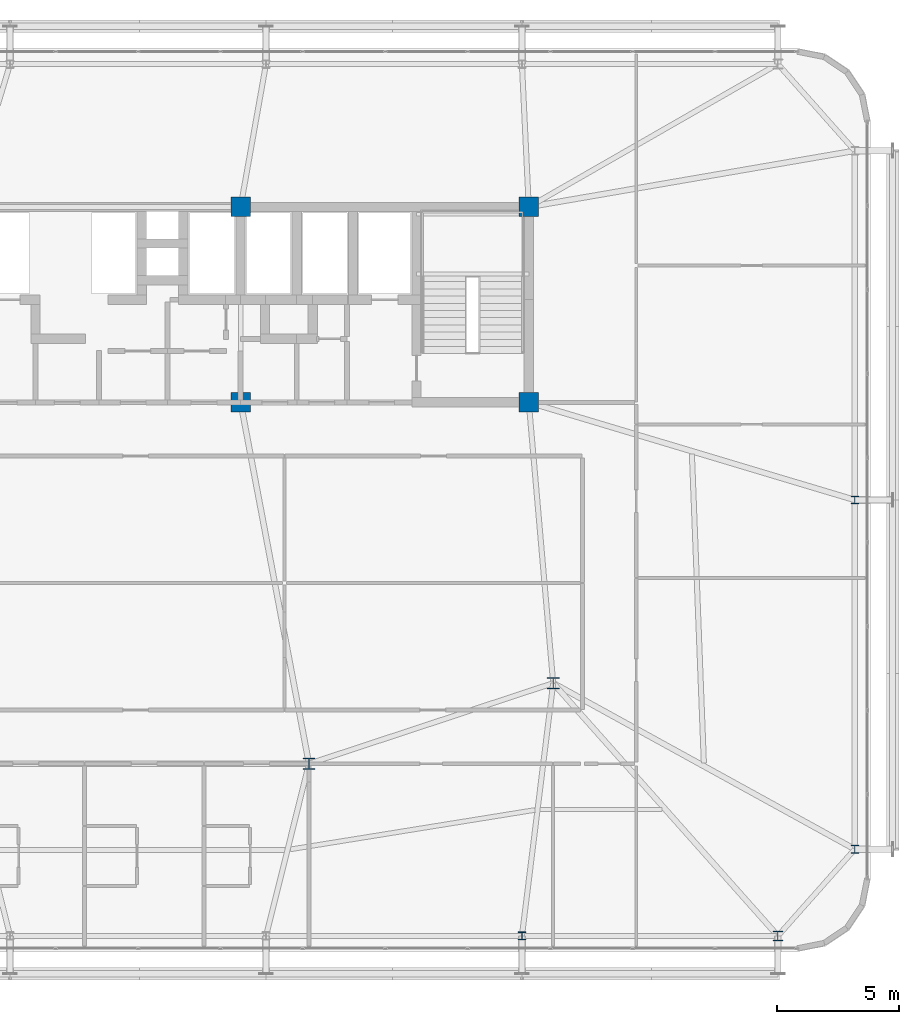
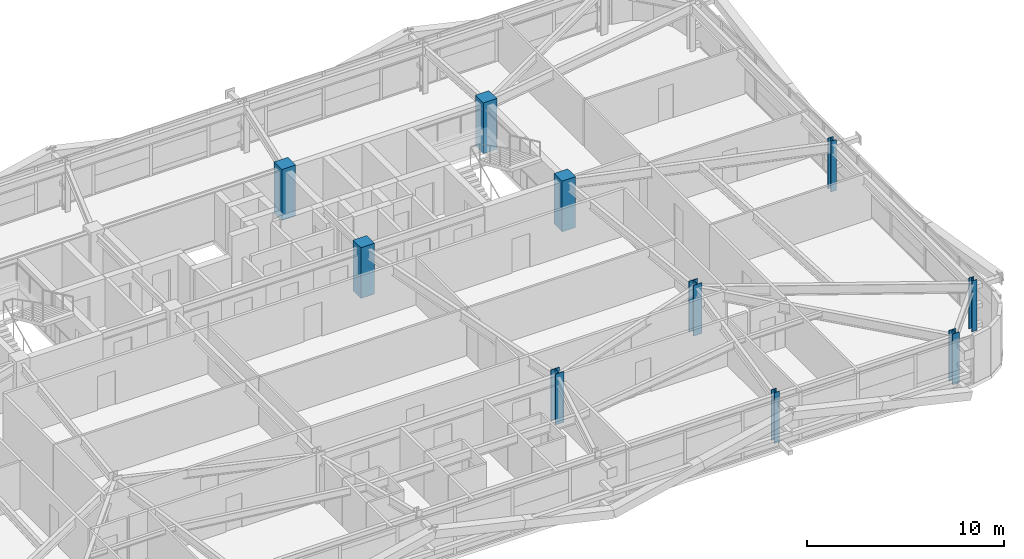
# One storey, part 2 of 59: 10 columns.
"""IFC4 building model written with IfcOpenShell, lengths in metres."""

from ifc_helpers import new_model, si_unit, direction, frame, origin, origin_2d, place, context, subcontext, project, spatial, rectangle, i_section, extrude, source, transform, mapped, material, material_profile, profile_set, type_object, element, save


model = new_model("IFC4")

# Units and contexts
model_context = context("Model", 3, precision=1e-05, world=origin(), true_north=direction((0.0, 1.0)))
body_context = subcontext(model_context, "Body", "Model", "MODEL_VIEW")
ifc_project = project(units=[si_unit("LENGTHUNIT", "METRE"), si_unit("AREAUNIT", "SQUARE_METRE"), si_unit("VOLUMEUNIT", "CUBIC_METRE"), si_unit("PLANEANGLEUNIT", "RADIAN"), si_unit("MASSUNIT", "GRAM", prefix="KILO")], contexts=[model_context])

# Site, building, storey
site_placement = place(None, origin())
site = spatial("IfcSite", under=ifc_project, at=site_placement, CompositionType="ELEMENT")
building_placement = place(site_placement, origin())
building = spatial("IfcBuilding", under=site, at=building_placement, Name="Taldren Reach Tower", CompositionType="ELEMENT")
storey_placement = place(building_placement, frame((0.0, 0.0, 45.14990234375)))
storey = spatial("IfcBuildingStorey", under=building, at=storey_placement, Name="L13", CompositionType="ELEMENT", Elevation=45.14990234375)

# Columns
ifc_material_1 = material(Name="Concrete S65 (65 MPa)", Category="concrete")
ifc_material_profile_1 = material_profile(ifc_material_1, rectangle(XDim=0.800048828125, YDim=0.800048828125, at=origin_2d()), Name="RC-800x800")
ifc_profile_set_1 = profile_set([ifc_material_profile_1], Name="Concrete S65 (65 MPa)")
column_type_1 = type_object("IfcColumnType", Name="COL-RC800", PredefinedType="COLUMN", material=ifc_profile_set_1)
shared_shape_1 = source(origin(), body_context, "Body", "SweptSolid", [
    extrude(rectangle(XDim=0.800048828125, YDim=0.800048828125, at=origin_2d()), origin(), (0.0, 0.0, 1.0), 3.150146484375),
])
for number, where, z_axis, x_axis, name in (
    (1, (39.199951171875, 24.0, 0.0), (0.0, 0.0, 1.0), (1.0, 0.0, 0.0), "Mega column MC-C3 L13"),
    (2, (51.0, 24.0, 0.0), (0.0, 0.0, 1.0), (1.0, 0.0, 0.0), "Mega column MC-C4 L13"),
    (3, (39.199951171875, 32.0, 0.0), (0.0, 0.0, 1.0), (1.0, 0.0, 0.0), "Mega column MC-C7 L13"),
    (4, (51.0, 32.0, 0.0), (0.0, 0.0, 1.0), (1.0, 0.0, 0.0), "Mega column MC-C8 L13"),
):
    element("IfcColumn", number, at=place(storey_placement, frame(where, z_axis=z_axis, x_axis=x_axis)), inside=storey, type_object=column_type_1, Name=name, PredefinedType="COLUMN", context=body_context, shape_type="MappedRepresentation", body=[
        mapped(shared_shape_1, transform((0.0, 0.0, 0.0), scale=1.0)),
    ])
ifc_material_2 = material(Name="Steel Gr 350 (350PLUS)", Category="steel")
ifc_material_profile_2 = material_profile(ifc_material_2, i_section(OverallWidth=0.5, OverallDepth=0.47998046875, WebThickness=0.028076171875, FlangeThickness=0.0439453125, at=origin_2d()), Name="500WC440")
ifc_profile_set_2 = profile_set([ifc_material_profile_2], Name="Steel Gr 350 (350PLUS)")
column_type_2 = type_object("IfcColumnType", Name="COL-WC500A", PredefinedType="COLUMN", material=ifc_profile_set_2)
shared_shape_2 = source(origin(), body_context, "Body", "SweptSolid", [
    extrude(i_section(OverallWidth=0.5, OverallDepth=0.47998046875, WebThickness=0.028076171875, FlangeThickness=0.0439453125, at=origin_2d()), origin(), (0.0, 0.0, 1.0), 3.150146484375),
])
column_1_placement = place(storey_placement, frame((42.0, 9.199951171875, 0.0), z_axis=(0.0, 0.0, 1.0), x_axis=(1.0, 0.0, 0.0)))
element("IfcColumn", 5, at=column_1_placement, inside=storey, type_object=column_type_2, Name="Mega column MC-PJE L13", PredefinedType="COLUMN", context=body_context, shape_type="MappedRepresentation", body=[
    mapped(shared_shape_2, transform((0.0, 0.0, 0.0), scale=1.0)),
])
ifc_material_profile_3 = material_profile(ifc_material_2, i_section(OverallWidth=0.39990234375, OverallDepth=0.39599609375, WebThickness=0.02197265625, FlangeThickness=0.033935546875, at=origin_2d()), Name="400WC270")
ifc_profile_set_3 = profile_set([ifc_material_profile_3], Name="Steel Gr 350 (350PLUS)")
column_type_3 = type_object("IfcColumnType", Name="COL-WC400", PredefinedType="COLUMN", material=ifc_profile_set_3)
shared_shape_3 = source(origin(), body_context, "Body", "SweptSolid", [
    extrude(i_section(OverallWidth=0.39990234375, OverallDepth=0.39599609375, WebThickness=0.02197265625, FlangeThickness=0.033935546875, at=origin_2d()), origin(), (0.0, 0.0, 1.0), 3.150146484375),
])
column_2_placement = place(storey_placement, frame((61.199951171875, 2.14990234375, 0.0), z_axis=(0.0, 0.0, 1.0), x_axis=(1.0, 0.0, 0.0)))
element("IfcColumn", 6, at=column_2_placement, inside=storey, type_object=column_type_3, Name="Block B1 perimeter column S6 L13", PredefinedType="COLUMN", context=body_context, shape_type="MappedRepresentation", body=[
    mapped(shared_shape_3, transform((0.0, 0.0, 0.0), scale=1.0)),
])
ifc_material_profile_4 = material_profile(ifc_material_2, i_section(OverallWidth=0.31103515625, OverallDepth=0.326904296875, WebThickness=0.015625, FlangeThickness=0.02490234375, at=origin_2d()), Name="310UC158")
ifc_profile_set_4 = profile_set([ifc_material_profile_4], Name="Steel Gr 350 (350PLUS)")
column_type_4 = type_object("IfcColumnType", Name="COL-UC310A", PredefinedType="COLUMN", material=ifc_profile_set_4)
shared_shape_4 = source(origin(), body_context, "Body", "SweptSolid", [
    extrude(i_section(OverallWidth=0.31103515625, OverallDepth=0.326904296875, WebThickness=0.015625, FlangeThickness=0.02490234375, at=origin_2d()), origin(), (0.0, 0.0, 1.0), 3.150146484375),
])
for number, where, z_axis, x_axis, name in (
    (7, (50.719970703125, 2.14990234375, 0.0), (0.0, 0.0, 1.0), (1.0, 0.0, 0.0), "Block B1 perimeter column S5 L13"),
    (8, (64.35009765625, 5.699951171875, 0.0), (0.0, 0.0, 1.0), (1.0, 0.0, 0.0), "Block B1 perimeter column E1 L13"),
    (9, (64.35009765625, 20.0, 0.0), (0.0, 0.0, 1.0), (1.0, 0.0, 0.0), "Block B1 perimeter column E2 L13"),
):
    element("IfcColumn", number, at=place(storey_placement, frame(where, z_axis=z_axis, x_axis=x_axis)), inside=storey, type_object=column_type_4, Name=name, PredefinedType="COLUMN", context=body_context, shape_type="MappedRepresentation", body=[
        mapped(shared_shape_4, transform((0.0, 0.0, 0.0), scale=1.0)),
    ])
ifc_material_profile_5 = material_profile(ifc_material_2, i_section(OverallWidth=0.5, OverallDepth=0.464111328125, WebThickness=0.02197265625, FlangeThickness=0.033935546875, at=origin_2d()), Name="500WC340")
ifc_profile_set_5 = profile_set([ifc_material_profile_5], Name="Steel Gr 350 (350PLUS)")
column_type_5 = type_object("IfcColumnType", Name="COL-WC500B", PredefinedType="COLUMN", material=ifc_profile_set_5)
shared_shape_5 = source(origin(), body_context, "Body", "SweptSolid", [
    extrude(i_section(OverallWidth=0.5, OverallDepth=0.464111328125, WebThickness=0.02197265625, FlangeThickness=0.033935546875, at=origin_2d()), origin(), (0.0, 0.0, 1.0), 3.150146484375),
])
column_3_placement = place(storey_placement, frame((52.0, 12.5, 0.0), z_axis=(0.0, 0.0, 1.0), x_axis=(1.0, 0.0, 0.0)))
element("IfcColumn", 10, at=column_3_placement, inside=storey, type_object=column_type_5, Name="Mega column MC-SE L13", PredefinedType="COLUMN", context=body_context, shape_type="MappedRepresentation", body=[
    mapped(shared_shape_5, transform((0.0, 0.0, 0.0), scale=1.0)),
])

save(model, "model.ifc")
